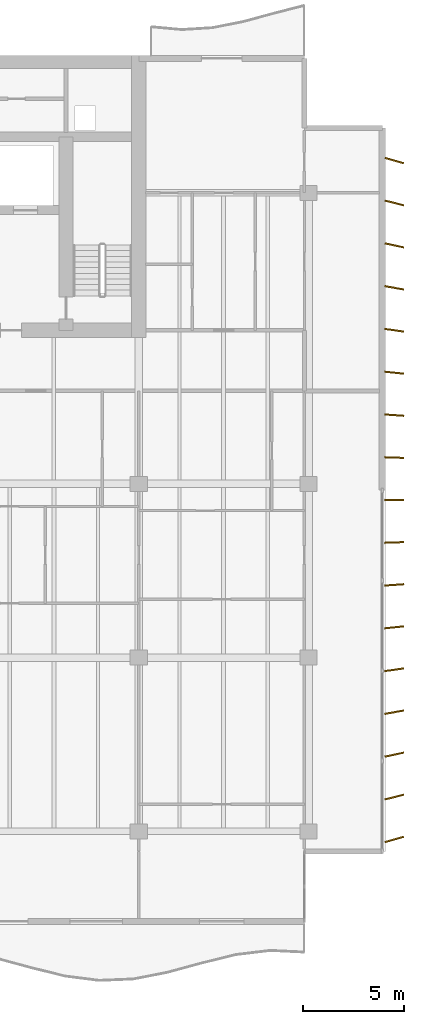
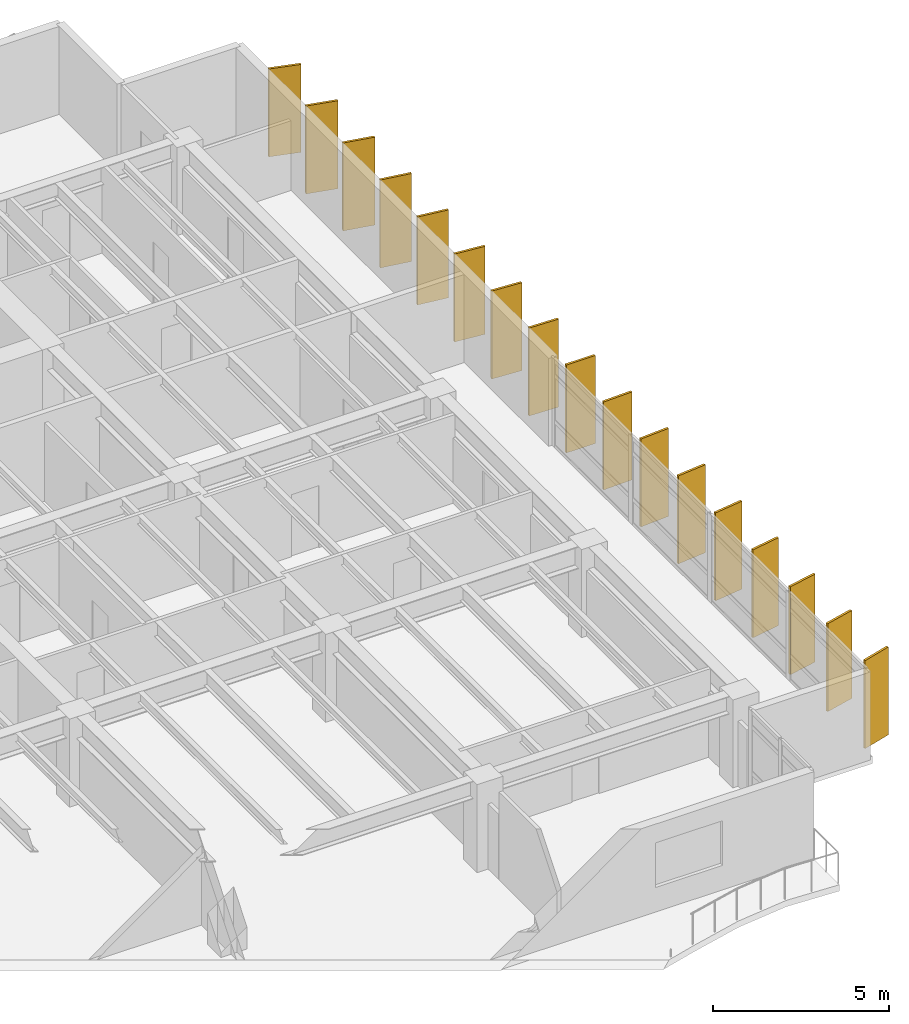
# One storey, part 17 of 17: 17 shading devices.
"""IFC4 building model written with IfcOpenShell, lengths in metres."""

from ifc_helpers import new_model, si_unit, direction, frame, origin, origin_2d, place, context, subcontext, project, spatial, rectangle, extrude, material, material_profile, profile_set, type_object, element, save


model = new_model("IFC4")

# Units and contexts
model_context = context("Model", 3, precision=1e-05, world=origin(), true_north=direction((0.0, 1.0)))
body_context = subcontext(model_context, "Body", "Model", "MODEL_VIEW")
ifc_project = project(units=[si_unit("LENGTHUNIT", "METRE"), si_unit("AREAUNIT", "SQUARE_METRE"), si_unit("VOLUMEUNIT", "CUBIC_METRE"), si_unit("PLANEANGLEUNIT", "RADIAN"), si_unit("MASSUNIT", "GRAM", prefix="KILO")], contexts=[model_context])

# Site, building, storey
site_placement = place(None, origin())
site = spatial("IfcSite", under=ifc_project, at=site_placement, CompositionType="ELEMENT")
building_placement = place(site_placement, origin())
building = spatial("IfcBuilding", under=site, at=building_placement, Name="Caelmar Bay Residences", CompositionType="ELEMENT")
storey_placement = place(building_placement, frame((0.0, 0.0, 204.89990234375)))
storey = spatial("IfcBuildingStorey", under=building, at=storey_placement, Name="L57", CompositionType="ELEMENT", Elevation=204.89990234375)

# Shading devices
ifc_material = material(Name="Anodised architectural bronze aluminium 6063-T6", Category="aluminium")
ifc_material_profile = material_profile(ifc_material, rectangle(XDim=0.074951171875, YDim=0.949951171875, at=origin_2d()), Name="BRONZE-FIN-75X950")
ifc_profile_set = profile_set([ifc_material_profile], Name="Anodised architectural bronze aluminium 6063-T6")
shading_device_type = type_object("IfcShadingDeviceType", Name="SHD-FIN-950", PredefinedType="USERDEFINED", material=ifc_profile_set)
for number, where, z_axis, x_axis, name in (
    (1, (72.14990234375, 11.800048828125, 0.0), (0.0, 0.0, 1.0), (-0.275637355817, 0.961261695938, 0.0), "L57 East Bronze Solar Fin 1"),
    (2, (72.14990234375, 13.89990234375, 0.0), (0.0, 0.0, 1.0), (-0.2419218956, 0.970295726276, 0.0), "L57 East Bronze Solar Fin 2"),
    (3, (72.14990234375, 16.0, 0.0), (0.0, 0.0, 1.0), (-0.207911690818, 0.978147600734, 0.0), "L57 East Bronze Solar Fin 3"),
    (4, (72.14990234375, 18.10009765625, 0.0), (0.0, 0.0, 1.0), (-0.173648177667, 0.984807753012, 0.0), "L57 East Bronze Solar Fin 4"),
    (5, (72.14990234375, 20.199951171875, 0.0), (0.0, 0.0, 1.0), (-0.13917310096, 0.990268068742, 0.0), "L57 East Bronze Solar Fin 5"),
    (6, (72.14990234375, 22.300048828125, 0.0), (0.0, 0.0, 1.0), (-0.104528463268, 0.994521895368, 0.0), "L57 East Bronze Solar Fin 6"),
    (7, (72.14990234375, 24.39990234375, 0.0), (0.0, 0.0, 1.0), (-0.069756473744, 0.99756405026, 0.0), "L57 East Bronze Solar Fin 7"),
    (8, (72.14990234375, 26.5, 0.0), (0.0, 0.0, 1.0), (-0.034899496703, 0.999390827019, 0.0), "L57 East Bronze Solar Fin 8"),
    (9, (72.14990234375, 28.60009765625, 0.0), (0.0, 0.0, 1.0), (0.0, 1.0, 0.0), "L57 East Bronze Solar Fin 9"),
    (10, (72.14990234375, 30.699951171875, 0.0), (0.0, 0.0, 1.0), (0.034899496703, 0.999390827019, 0.0), "L57 East Bronze Solar Fin 10"),
    (11, (72.14990234375, 32.800048828125, 0.0), (0.0, 0.0, 1.0), (0.069756473744, 0.99756405026, 0.0), "L57 East Bronze Solar Fin 11"),
    (12, (72.14990234375, 34.89990234375, 0.0), (0.0, 0.0, 1.0), (0.104528463268, 0.994521895368, 0.0), "L57 East Bronze Solar Fin 12"),
    (13, (72.14990234375, 37.0, 0.0), (0.0, 0.0, 1.0), (0.13917310096, 0.990268068742, 0.0), "L57 East Bronze Solar Fin 13"),
    (14, (72.14990234375, 39.10009765625, 0.0), (0.0, 0.0, 1.0), (0.173648177667, 0.984807753012, 0.0), "L57 East Bronze Solar Fin 14"),
    (15, (72.14990234375, 41.199951171875, 0.0), (0.0, 0.0, 1.0), (0.207911690818, 0.978147600734, 0.0), "L57 East Bronze Solar Fin 15"),
    (16, (72.14990234375, 43.300048828125, 0.0), (0.0, 0.0, 1.0), (0.2419218956, 0.970295726276, 0.0), "L57 East Bronze Solar Fin 16"),
    (17, (72.14990234375, 45.39990234375, 0.0), (0.0, 0.0, 1.0), (0.275637355817, 0.961261695938, 0.0), "L57 East Bronze Solar Fin 17"),
):
    element("IfcShadingDevice", number, at=place(storey_placement, frame(where, z_axis=z_axis, x_axis=x_axis)), inside=storey, type_object=shading_device_type, Name=name, ObjectType="FIN", PredefinedType="USERDEFINED", context=body_context, shape_type="SweptSolid", body=[
        extrude(rectangle(XDim=0.074951171875, YDim=0.949951171875, at=origin_2d()), origin(), (0.0, 0.0, 1.0), 3.050048828125),
    ])

save(model, "model.ifc")
